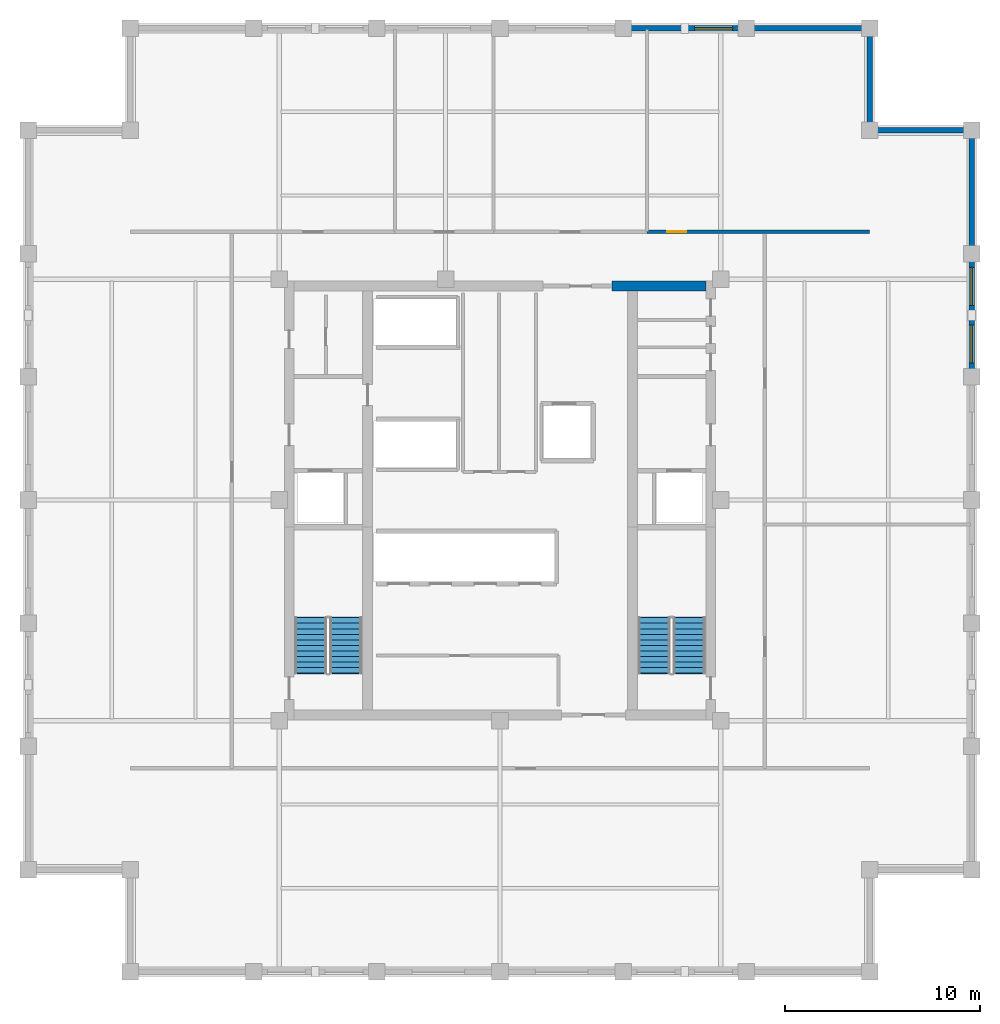
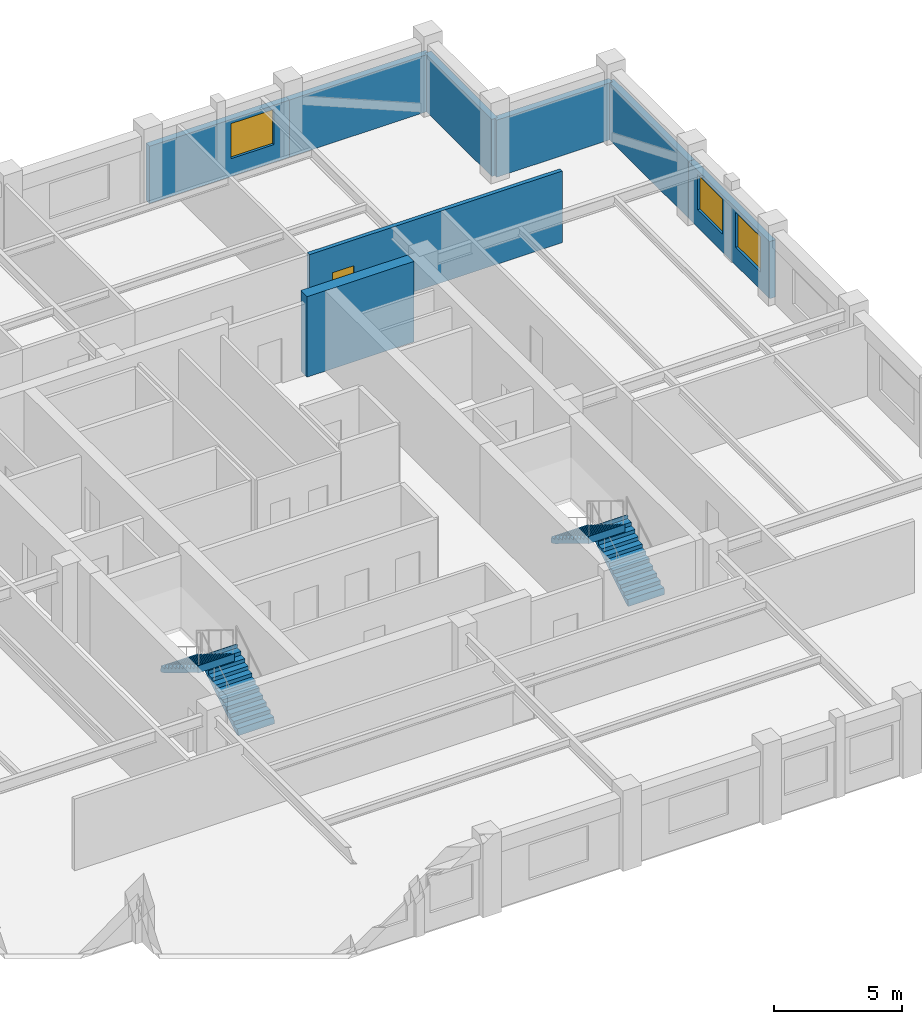
# One storey, part 5 of 6: 8 walls, 4 stair flights, 3 windows, 1 door, 4 openings, 2 elements without a shape of their own.
"""IFC4 building model written with IfcOpenShell, lengths in metres."""

from ifc_helpers import new_model, si_unit, direction, frame, frame_2d, origin, place, context, subcontext, project, spatial, polyline, rectangle, outline, extrude, material, layer, layer_set, type_object, element, fill, aggregate, save


model = new_model("IFC4")

# Units and contexts
model_context = context("Model", 3, precision=1e-05, world=origin(), true_north=direction((0.0, 1.0)))
body_context = subcontext(model_context, "Body", "Model", "MODEL_VIEW")
ifc_project = project(units=[si_unit("LENGTHUNIT", "METRE"), si_unit("AREAUNIT", "SQUARE_METRE"), si_unit("VOLUMEUNIT", "CUBIC_METRE"), si_unit("PLANEANGLEUNIT", "RADIAN"), si_unit("MASSUNIT", "GRAM", prefix="KILO")], contexts=[model_context])

# Site, building, storey
site_placement = place(None, origin())
site = spatial("IfcSite", under=ifc_project, at=site_placement, CompositionType="ELEMENT")
building_placement = place(site_placement, origin())
building = spatial("IfcBuilding", under=site, at=building_placement, Name="Nhamokura Convention Tower", CompositionType="ELEMENT")
storey_placement = place(building_placement, frame((0.0, 0.0, 248.5)))
storey = spatial("IfcBuildingStorey", under=building, at=storey_placement, Name="L61", CompositionType="ELEMENT", Elevation=248.5)

# Wall, opening, window
ifc_material_1 = material(Name="Bronze-pigmented precast concrete C45/55", Category="concrete")
ifc_layer_1 = layer(ifc_material_1, 0.280029296875)
ifc_layer_set_1 = layer_set([ifc_layer_1], Name="BronzePrecastSpandrel_280")
wall_type_1 = type_object("IfcWallType", Name="BronzePrecastSpandrel_280", PredefinedType="USERDEFINED", material=ifc_layer_set_1)
wall_1_placement = place(storey_placement, frame((38.333251953125, 56.25, 0.0), z_axis=(0.0, 0.0, 1.0), x_axis=(1.0, 0.0, 0.0)))
wall_1 = element("IfcWall", 1, at=wall_1_placement, inside=storey, type_object=wall_type_1, Name="L61 Masonry-Frame Wall NORTH 4", ObjectType="SPANDREL_WALL", PredefinedType="USERDEFINED", context=body_context, shape_type="SweptSolid", body=[
    extrude(rectangle(XDim=6.33349609375, YDim=0.280029296875, at=frame_2d((3.166748046875, 0.0))), origin(), (0.0, 0.0, 1.0), 2.72998046875),
])
opening_1_placement = place(wall_1_placement, frame((3.675048828125, 0.0, 0.85009765625)))
opening_1 = element("IfcOpeningElement", 2, at=opening_1_placement, cuts=wall_1, Name="Opening W-08", PredefinedType="OPENING", context=body_context, shape_type="SweptSolid", body=[
    extrude(rectangle(XDim=1.949951171875, YDim=1.679931640625, at=frame_2d((0.97509765625, 0.83984375))), frame((0.0, 0.14990234375, 0.0), z_axis=(0.0, -1.0, 0.0), x_axis=(1.0, 0.0, 0.0)), (0.0, 0.0, 1.0), 0.300048828125),
])
ifc_material_2 = material(Name="Solar-control bronze low-E double glass", Category="glass")
window_type = type_object("IfcWindowType", Name="OfficeModuleWindow_Z3_1950", PartitioningType="SINGLE_PANEL", PredefinedType="WINDOW", material=ifc_material_2)
window_1_placement = place(opening_1_placement, origin())
window_1 = element("IfcWindow", 3, at=window_1_placement, inside=storey, type_object=window_type, Name="L61 Facade Window NORTH 4-3", OverallHeight=1.679931640625, OverallWidth=1.949951171875, PartitioningType="SINGLE_PANEL", PredefinedType="WINDOW", context=body_context, shape_type="SweptSolid", body=[
    extrude(rectangle(XDim=1.949951171875, YDim=1.679931640625, at=frame_2d((0.97509765625, 0.83984375))), frame((0.0, 0.030029296875, 0.0), z_axis=(0.0, -1.0, 0.0), x_axis=(1.0, 0.0, 0.0)), (0.0, 0.0, 1.0), 0.06005859375),
])
fill(opening_1, window_1)

# Wall
wall_2_placement = place(storey_placement, frame((44.666748046875, 56.25, 0.0), z_axis=(0.0, 0.0, 1.0), x_axis=(1.0, 0.0, 0.0)))
element("IfcWall", 4, at=wall_2_placement, inside=storey, type_object=wall_type_1, Name="L61 Braced-Bay Precast Wall NORTH 5", ObjectType="SPANDREL_WALL", PredefinedType="USERDEFINED", context=body_context, shape_type="SweptSolid", body=[
    extrude(rectangle(XDim=6.333251953125, YDim=0.280029296875, at=frame_2d((3.16650390625, 0.0))), origin(), (0.0, 0.0, 1.0), 2.72998046875),
])

# Wall, openings, windows
wall_3_placement = place(storey_placement, frame((56.25, 44.666748046875, 0.0), z_axis=(0.0, 0.0, 1.0), x_axis=(0.0, -1.0, 0.0)))
wall_3 = element("IfcWall", 5, at=wall_3_placement, inside=storey, type_object=wall_type_1, Name="L61 Masonry-Frame Wall EAST 4", ObjectType="SPANDREL_WALL", PredefinedType="USERDEFINED", context=body_context, shape_type="SweptSolid", body=[
    extrude(rectangle(XDim=6.33349609375, YDim=0.280029296875, at=frame_2d((3.166748046875, 0.0))), origin(), (0.0, 0.0, 1.0), 2.72998046875),
])
opening_2_placement = place(wall_3_placement, frame((0.708251953125, 0.0, 0.85009765625)))
opening_2 = element("IfcOpeningElement", 6, at=opening_2_placement, cuts=wall_3, Name="Opening W-08", PredefinedType="OPENING", context=body_context, shape_type="SweptSolid", body=[
    extrude(rectangle(XDim=1.949951171875, YDim=1.679931640625, at=frame_2d((0.97509765625, 0.83984375))), frame((0.0, 0.14990234375, 0.0), z_axis=(0.0, -1.0, 0.0), x_axis=(1.0, 0.0, 0.0)), (0.0, 0.0, 1.0), 0.300048828125),
])
opening_3_placement = place(wall_3_placement, frame((3.675048828125, 0.0, 0.85009765625)))
opening_3 = element("IfcOpeningElement", 7, at=opening_3_placement, cuts=wall_3, Name="Opening W-08", PredefinedType="OPENING", context=body_context, shape_type="SweptSolid", body=[
    extrude(rectangle(XDim=1.949951171875, YDim=1.679931640625, at=frame_2d((0.97509765625, 0.83984375))), frame((0.0, 0.14990234375, 0.0), z_axis=(0.0, -1.0, 0.0), x_axis=(1.0, 0.0, 0.0)), (0.0, 0.0, 1.0), 0.300048828125),
])
window_2_placement = place(opening_2_placement, origin())
window_2 = element("IfcWindow", 8, at=window_2_placement, inside=storey, type_object=window_type, Name="L61 Facade Window EAST 4-1", OverallHeight=1.679931640625, OverallWidth=1.949951171875, PartitioningType="SINGLE_PANEL", PredefinedType="WINDOW", context=body_context, shape_type="SweptSolid", body=[
    extrude(rectangle(XDim=1.949951171875, YDim=1.679931640625, at=frame_2d((0.97509765625, 0.83984375))), frame((0.0, 0.030029296875, 0.0), z_axis=(0.0, -1.0, 0.0), x_axis=(1.0, 0.0, 0.0)), (0.0, 0.0, 1.0), 0.06005859375),
])
fill(opening_2, window_2)
window_3_placement = place(opening_3_placement, origin())
window_3 = element("IfcWindow", 9, at=window_3_placement, inside=storey, type_object=window_type, Name="L61 Facade Window EAST 4-2", OverallHeight=1.679931640625, OverallWidth=1.949951171875, PartitioningType="SINGLE_PANEL", PredefinedType="WINDOW", context=body_context, shape_type="SweptSolid", body=[
    extrude(rectangle(XDim=1.949951171875, YDim=1.679931640625, at=frame_2d((0.97509765625, 0.83984375))), frame((0.0, 0.030029296875, 0.0), z_axis=(0.0, -1.0, 0.0), x_axis=(1.0, 0.0, 0.0)), (0.0, 0.0, 1.0), 0.06005859375),
])
fill(opening_3, window_3)

# Walls
wall_4_placement = place(storey_placement, frame((56.25, 51.0, 0.0), z_axis=(0.0, 0.0, 1.0), x_axis=(0.0, -1.0, 0.0)))
element("IfcWall", 10, at=wall_4_placement, inside=storey, type_object=wall_type_1, Name="L61 Braced-Bay Precast Wall EAST 5", ObjectType="SPANDREL_WALL", PredefinedType="USERDEFINED", context=body_context, shape_type="SweptSolid", body=[
    extrude(rectangle(XDim=6.333251953125, YDim=0.280029296875, at=frame_2d((3.16650390625, 0.0))), origin(), (0.0, 0.0, 1.0), 2.72998046875),
])
for number, where, z_axis, x_axis, name in (
    (11, (51.0, 51.0, 0.0), (0.0, 0.0, 1.0), (1.0, 0.0, 0.0), "L61 Notched Corner Wall NE1"),
    (12, (51.0, 56.25, 0.0), (0.0, 0.0, 1.0), (0.0, -1.0, 0.0), "L61 Notched Corner Wall NE2"),
):
    element("IfcWall", number, at=place(storey_placement, frame(where, z_axis=z_axis, x_axis=x_axis)), inside=storey, type_object=wall_type_1, Name=name, ObjectType="SPANDREL_WALL", PredefinedType="USERDEFINED", context=body_context, shape_type="SweptSolid", body=[
        extrude(rectangle(XDim=5.25, YDim=0.280029296875, at=frame_2d((2.625, 0.0))), origin(), (0.0, 0.0, 1.0), 2.72998046875),
    ])
ifc_material_3 = material(Name="Concrete C60/75", Category="concrete")
ifc_layer_2 = layer(ifc_material_3, 0.5)
ifc_layer_set_2 = layer_set([ifc_layer_2], Name="CoreShearWall_500")
wall_type_2 = type_object("IfcWallType", Name="CoreShearWall_500", PredefinedType="SHEAR", material=ifc_layer_set_2)
wall_5_placement = place(storey_placement, frame((37.75, 43.0, 0.0), z_axis=(0.0, 0.0, 1.0), x_axis=(1.0, 0.0, 0.0)))
element("IfcWall", 13, at=wall_5_placement, inside=storey, type_object=wall_type_2, Name="L61 Core Shear Wall CW-N2", PredefinedType="SHEAR", context=body_context, shape_type="SweptSolid", body=[
    extrude(rectangle(XDim=4.840087890625, YDim=0.5, at=frame_2d((2.419921875, 0.0))), origin(), (0.0, 0.0, 1.0), 3.85009765625),
])

# Wall, opening, door
ifc_material_4 = material(Name="Fire-rated gypsum and masonry partition", Category="masonry")
ifc_layer_3 = layer(ifc_material_4, 0.179931640625)
ifc_layer_set_3 = layer_set([ifc_layer_3], Name="CorridorRatedWall_180")
wall_type_3 = type_object("IfcWallType", Name="CorridorRatedWall_180", PredefinedType="STANDARD", material=ifc_layer_set_3)
wall_6_placement = place(storey_placement, frame((39.558349609375, 45.800048828125, 0.0), z_axis=(0.0, 0.0, 1.0), x_axis=(1.0, 0.0, 0.0)))
wall_6 = element("IfcWall", 14, at=wall_6_placement, inside=storey, type_object=wall_type_3, Name="L61 Wall INT-L61-CW-N03", PredefinedType="STANDARD", context=body_context, shape_type="SweptSolid", body=[
    extrude(rectangle(XDim=11.441650390625, YDim=0.179931640625, at=frame_2d((5.720703125, 0.0))), origin(), (0.0, 0.0, 1.0), 3.429931640625),
])
opening_4_placement = place(wall_6_placement, frame((1.0458984375, 0.0, 0.0)))
opening_4 = element("IfcOpeningElement", 15, at=opening_4_placement, cuts=wall_6, Name="Opening D-08", PredefinedType="OPENING", context=body_context, shape_type="SweptSolid", body=[
    extrude(rectangle(XDim=0.97998046875, YDim=2.199951171875, at=frame_2d((0.489990234375, 1.10009765625))), frame((0.0, 0.099853515625, 0.0), z_axis=(0.0, -1.0, 0.0), x_axis=(1.0, 0.0, 0.0)), (0.0, 0.0, 1.0), 0.199951171875),
])
ifc_material_5 = material(Name="Solid oak hardwood", Category="wood")
door_type = type_object("IfcDoorType", Name="OfficeEntryDoor_980", OperationType="NOTDEFINED", PredefinedType="DOOR", material=ifc_material_5)
door_placement = place(opening_4_placement, origin())
door = element("IfcDoor", 16, at=door_placement, inside=storey, type_object=door_type, Name="L61 Cafeteria Kitchen N04 Door", OperationType="SINGLE_SWING_RIGHT", OverallHeight=2.199951171875, OverallWidth=0.97998046875, PredefinedType="DOOR", context=body_context, shape_type="SweptSolid", body=[
    extrude(rectangle(XDim=0.97998046875, YDim=2.199951171875, at=frame_2d((0.489990234375, 1.10009765625))), frame((0.0, 0.02490234375, 0.0), z_axis=(0.0, -1.0, 0.0), x_axis=(1.0, 0.0, 0.0)), (0.0, 0.0, 1.0), 0.050048828125),
])
fill(opening_4, door)

# Stair, stair flights
ifc_material_6 = material(Name="Concrete C40/50", Category="concrete")
stair_type = type_object("IfcStairType", Name="TowerCoreStair_1650", PredefinedType="HALF_TURN_STAIR", material=ifc_material_6)
stair_1_placement = place(storey_placement, origin())
stair_1 = element("IfcStair", 17, at=stair_1_placement, inside=storey, type_object=stair_type, Name="L61 West Core Smokeproof Stair ST-01", PredefinedType="HALF_TURN_STAIR")
ifc_material_7 = material(Name="Concrete C40/50", Category="concrete")
stair_flight_type = type_object("IfcStairFlightType", Name="TowerCoreStair_1650_Flight", PredefinedType="STRAIGHT", material=ifc_material_7)
stair_flight_1_placement = place(storey_placement, frame((24.074951171875, 23.10009765625, 0.0), z_axis=(0.0, 0.0, 1.0), x_axis=(0.0, 1.0, 0.0)))
stair_flight_1 = element("IfcStairFlight", 18, at=stair_flight_1_placement, type_object=stair_flight_type, Name="ST-01 flight 1", NumberOfRisers=11, NumberOfTreads=10, PredefinedType="STRAIGHT", RiserHeight=0.175, TreadLength=0.285, context=body_context, shape_type="SweptSolid", body=[
    extrude(outline(polyline([(-0.0419921875, 0.0), (0.0, 0.175048828125), (0.284912109375, 0.175048828125), (0.284912109375, 0.35009765625), (0.570068359375, 0.35009765625), (0.570068359375, 0.52490234375), (0.85498046875, 0.52490234375), (0.85498046875, 0.699951171875), (1.139892578125, 0.699951171875), (1.139892578125, 0.875), (1.425048828125, 0.875), (1.425048828125, 1.050048828125), (1.7099609375, 1.050048828125), (1.7099609375, 1.22509765625), (1.9951171875, 1.22509765625), (1.9951171875, 1.39990234375), (2.280029296875, 1.39990234375), (2.280029296875, 1.574951171875), (2.56494140625, 1.574951171875), (2.56494140625, 1.75), (2.85009765625, 1.75), (2.85009765625, 1.925048828125), (2.89208984375, 1.925048828125), (2.89208984375, 1.573974609375), (2.85009765625, 1.573974609375), (0.286376953125, 0.0), (0.02001953125, -0.1298828125), (-0.0419921875, -0.1298828125), (-0.0419921875, 0.0)])), frame((0.0, 0.824951171875, 0.0), z_axis=(0.0, -1.0, 0.0), x_axis=(1.0, 0.0, 0.0)), (0.0, 0.0, 1.0), 1.64990234375),
])
stair_flight_2_placement = place(storey_placement, frame((22.27490234375, 25.949951171875, 1.925048828125), z_axis=(0.0, 0.0, 1.0), x_axis=(0.0, -1.0, 0.0)))
stair_flight_2 = element("IfcStairFlight", 19, at=stair_flight_2_placement, type_object=stair_flight_type, Name="ST-01 flight 2", NumberOfRisers=11, NumberOfTreads=10, PredefinedType="STRAIGHT", RiserHeight=0.175, TreadLength=0.285, context=body_context, shape_type="SweptSolid", body=[
    extrude(outline(polyline([(-0.0419921875, 0.0), (0.0, 0.175048828125), (0.284912109375, 0.175048828125), (0.284912109375, 0.35009765625), (0.570068359375, 0.35009765625), (0.570068359375, 0.52490234375), (0.85498046875, 0.52490234375), (0.85498046875, 0.699951171875), (1.139892578125, 0.699951171875), (1.139892578125, 0.875), (1.425048828125, 0.875), (1.425048828125, 1.050048828125), (1.7099609375, 1.050048828125), (1.7099609375, 1.22509765625), (1.9951171875, 1.22509765625), (1.9951171875, 1.39990234375), (2.280029296875, 1.39990234375), (2.280029296875, 1.574951171875), (2.56494140625, 1.574951171875), (2.56494140625, 1.75), (2.85009765625, 1.75), (2.85009765625, 1.925048828125), (2.89208984375, 1.925048828125), (2.89208984375, 1.573974609375), (2.85009765625, 1.573974609375), (0.286376953125, 0.0), (0.02001953125, -0.1298828125), (-0.0419921875, -0.1298828125), (-0.0419921875, 0.0)])), frame((0.0, 0.824951171875, 0.0), z_axis=(0.0, -1.0, 0.0), x_axis=(1.0, 0.0, 0.0)), (0.0, 0.0, 1.0), 1.64990234375),
])
aggregate(stair_1, [stair_flight_1, stair_flight_2])

stair_2_placement = place(storey_placement, origin())
stair_2 = element("IfcStair", 20, at=stair_2_placement, inside=storey, type_object=stair_type, Name="L61 East Core Smokeproof Stair ST-02", PredefinedType="HALF_TURN_STAIR")
stair_flight_3_placement = place(storey_placement, frame((41.72509765625, 23.10009765625, 0.0), z_axis=(0.0, 0.0, 1.0), x_axis=(0.0, 1.0, 0.0)))
stair_flight_3 = element("IfcStairFlight", 21, at=stair_flight_3_placement, type_object=stair_flight_type, Name="ST-02 flight 1", NumberOfRisers=11, NumberOfTreads=10, PredefinedType="STRAIGHT", RiserHeight=0.175, TreadLength=0.285, context=body_context, shape_type="SweptSolid", body=[
    extrude(outline(polyline([(-0.0419921875, 0.0), (0.0, 0.175048828125), (0.284912109375, 0.175048828125), (0.284912109375, 0.35009765625), (0.570068359375, 0.35009765625), (0.570068359375, 0.52490234375), (0.85498046875, 0.52490234375), (0.85498046875, 0.699951171875), (1.139892578125, 0.699951171875), (1.139892578125, 0.875), (1.425048828125, 0.875), (1.425048828125, 1.050048828125), (1.7099609375, 1.050048828125), (1.7099609375, 1.22509765625), (1.9951171875, 1.22509765625), (1.9951171875, 1.39990234375), (2.280029296875, 1.39990234375), (2.280029296875, 1.574951171875), (2.56494140625, 1.574951171875), (2.56494140625, 1.75), (2.85009765625, 1.75), (2.85009765625, 1.925048828125), (2.89208984375, 1.925048828125), (2.89208984375, 1.573974609375), (2.85009765625, 1.573974609375), (0.286376953125, 0.0), (0.02001953125, -0.1298828125), (-0.0419921875, -0.1298828125), (-0.0419921875, 0.0)])), frame((0.0, 0.824951171875, 0.0), z_axis=(0.0, -1.0, 0.0), x_axis=(1.0, 0.0, 0.0)), (0.0, 0.0, 1.0), 1.64990234375),
])
stair_flight_4_placement = place(storey_placement, frame((39.925048828125, 25.949951171875, 1.925048828125), z_axis=(0.0, 0.0, 1.0), x_axis=(0.0, -1.0, 0.0)))
stair_flight_4 = element("IfcStairFlight", 22, at=stair_flight_4_placement, type_object=stair_flight_type, Name="ST-02 flight 2", NumberOfRisers=11, NumberOfTreads=10, PredefinedType="STRAIGHT", RiserHeight=0.175, TreadLength=0.285, context=body_context, shape_type="SweptSolid", body=[
    extrude(outline(polyline([(-0.0419921875, 0.0), (0.0, 0.175048828125), (0.284912109375, 0.175048828125), (0.284912109375, 0.35009765625), (0.570068359375, 0.35009765625), (0.570068359375, 0.52490234375), (0.85498046875, 0.52490234375), (0.85498046875, 0.699951171875), (1.139892578125, 0.699951171875), (1.139892578125, 0.875), (1.425048828125, 0.875), (1.425048828125, 1.050048828125), (1.7099609375, 1.050048828125), (1.7099609375, 1.22509765625), (1.9951171875, 1.22509765625), (1.9951171875, 1.39990234375), (2.280029296875, 1.39990234375), (2.280029296875, 1.574951171875), (2.56494140625, 1.574951171875), (2.56494140625, 1.75), (2.85009765625, 1.75), (2.85009765625, 1.925048828125), (2.89208984375, 1.925048828125), (2.89208984375, 1.573974609375), (2.85009765625, 1.573974609375), (0.286376953125, 0.0), (0.02001953125, -0.1298828125), (-0.0419921875, -0.1298828125), (-0.0419921875, 0.0)])), frame((0.0, 0.824951171875, 0.0), z_axis=(0.0, -1.0, 0.0), x_axis=(1.0, 0.0, 0.0)), (0.0, 0.0, 1.0), 1.64990234375),
])
aggregate(stair_2, [stair_flight_3, stair_flight_4])

save(model, "model.ifc")
